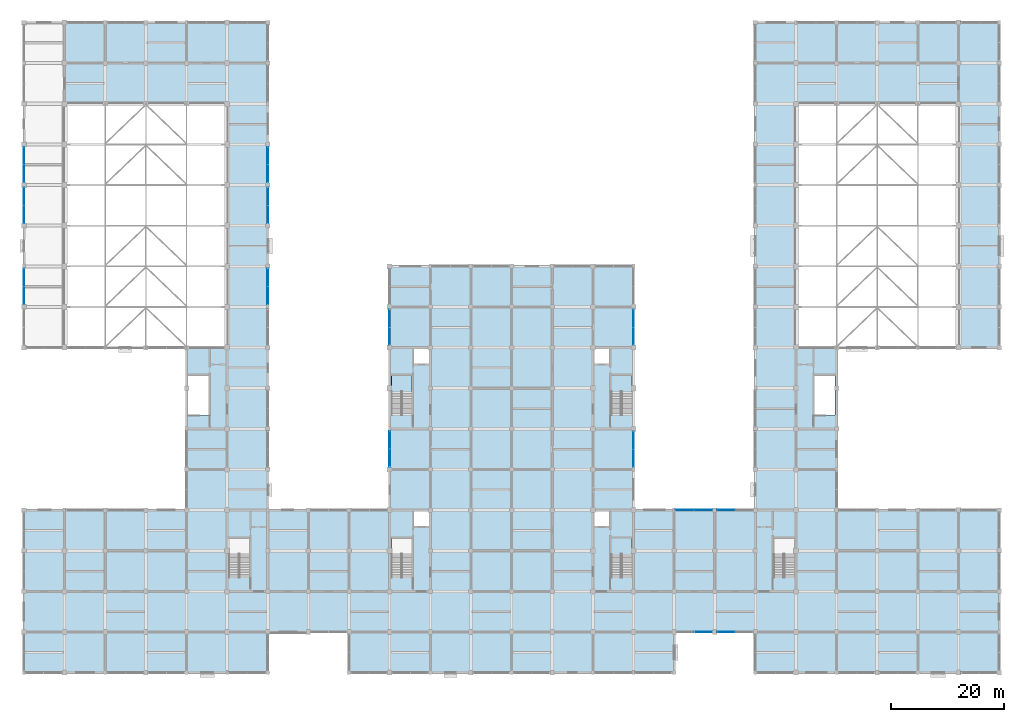
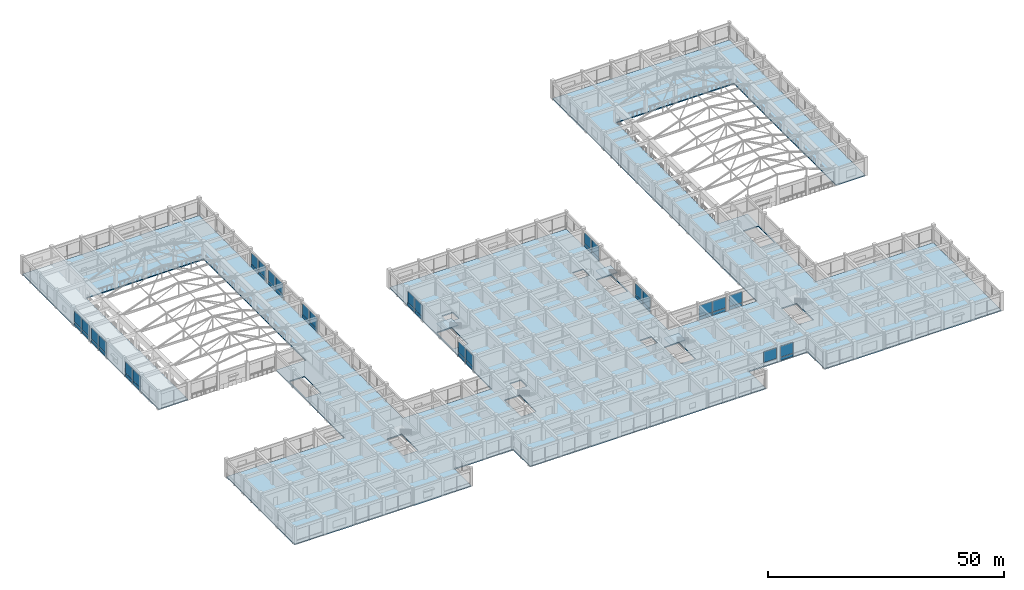
# One storey, part 49 of 75: 49 plates, 4 slabs, 17 elements without a shape of their own.
"""IFC4 building model written with IfcOpenShell, lengths in metres."""

from ifc_helpers import new_model, si_unit, direction, frame, origin, origin_2d, place, context, subcontext, project, spatial, polyline, rectangle, outline, extrude, material, layer, layer_set, type_object, element, aggregate, save


model = new_model("IFC4")

# Units and contexts
model_context = context("Model", 3, precision=1e-05, world=origin(), true_north=direction((0.0, 1.0)))
body_context = subcontext(model_context, "Body", "Model", "MODEL_VIEW")
ifc_project = project(units=[si_unit("LENGTHUNIT", "METRE"), si_unit("AREAUNIT", "SQUARE_METRE"), si_unit("VOLUMEUNIT", "CUBIC_METRE"), si_unit("PLANEANGLEUNIT", "RADIAN"), si_unit("MASSUNIT", "GRAM", prefix="KILO")], contexts=[model_context])

# Site, building, storey
site_placement = place(None, origin())
site = spatial("IfcSite", under=ifc_project, at=site_placement, CompositionType="ELEMENT")
building_placement = place(site_placement, origin())
building = spatial("IfcBuilding", under=site, at=building_placement, Name="Cendaluz Park School", CompositionType="ELEMENT")
storey_placement = place(building_placement, frame((0.0, 0.0, 4.800048828125)))
storey = spatial("IfcBuildingStorey", under=building, at=storey_placement, Name="L01", CompositionType="ELEMENT", Elevation=4.800048828125)

# Curtain wall, plates
ifc_material_1 = material(Name="Anodised Aluminium 6063-T6", Category="aluminium")
ifc_layer_1 = layer(ifc_material_1, 0.179931640625)
ifc_layer_set_1 = layer_set([ifc_layer_1], Name="Anodised Aluminium 6063-T6")
curtain_wall_type_1 = type_object("IfcCurtainWallType", Name="CW-128x77", PredefinedType="NOTDEFINED", material=ifc_layer_set_1)
curtain_wall_1_placement = place(storey_placement, origin())
curtain_wall_1 = element("IfcCurtainWall", 1, at=curtain_wall_1_placement, inside=storey, type_object=curtain_wall_type_1, Name="CW-L01-028", PredefinedType="NOTDEFINED")
ifc_material_2 = material(Name="Tempered Low-E Double Glazing", Category="glass")
ifc_layer_2 = layer(ifc_material_2, 0.028076171875)
ifc_layer_set_2 = layer_set([ifc_layer_2], Name="Tempered Low-E Double Glazing")
plate_type_1 = type_object("IfcPlateType", Name="CWP-G01", PredefinedType="CURTAIN_PANEL", material=ifc_layer_set_2)
plate_1_placement = place(storey_placement, frame((43.199951171875, 66.798828125, 0.93505859375), z_axis=(0.0, 0.0, 1.0), x_axis=(0.0, 1.0, 0.0)))
plate_1 = element("IfcPlate", 2, at=plate_1_placement, type_object=plate_type_1, Name="CP-L01-0359", PredefinedType="CURTAIN_PANEL", context=body_context, shape_type="SweptSolid", body=[
    extrude(rectangle(XDim=3.107421875, YDim=0.028076171875, at=origin_2d()), origin(), (0.0, 0.0, 1.0), 2.844970703125),
])
plate_2_placement = place(storey_placement, frame((43.199951171875, 69.976318359375, 0.93505859375), z_axis=(0.0, 0.0, 1.0), x_axis=(0.0, 1.0, 0.0)))
plate_2 = element("IfcPlate", 3, at=plate_2_placement, type_object=plate_type_1, Name="CP-L01-0364", PredefinedType="CURTAIN_PANEL", context=body_context, shape_type="SweptSolid", body=[
    extrude(rectangle(XDim=3.107421875, YDim=0.028076171875, at=origin_2d()), origin(), (0.0, 0.0, 1.0), 2.844970703125),
])

curtain_wall_2_placement = place(storey_placement, origin())
curtain_wall_2 = element("IfcCurtainWall", 4, at=curtain_wall_2_placement, inside=storey, type_object=curtain_wall_type_1, Name="CW-L01-029", PredefinedType="NOTDEFINED")
plate_3_placement = place(storey_placement, frame((43.199951171875, 81.217529296875, 0.93505859375), z_axis=(0.0, 0.0, 1.0), x_axis=(0.0, 1.0, 0.0)))
plate_3 = element("IfcPlate", 5, at=plate_3_placement, type_object=plate_type_1, Name="CP-L01-0372", PredefinedType="CURTAIN_PANEL", context=body_context, shape_type="SweptSolid", body=[
    extrude(rectangle(XDim=3.094970703125, YDim=0.028076171875, at=origin_2d()), origin(), (0.0, 0.0, 1.0), 2.844970703125),
])
plate_4_placement = place(storey_placement, frame((43.199951171875, 84.382568359375, 0.93505859375), z_axis=(0.0, 0.0, 1.0), x_axis=(0.0, 1.0, 0.0)))
plate_4 = element("IfcPlate", 6, at=plate_4_placement, type_object=plate_type_1, Name="CP-L01-0377", PredefinedType="CURTAIN_PANEL", context=body_context, shape_type="SweptSolid", body=[
    extrude(rectangle(XDim=3.094970703125, YDim=0.028076171875, at=origin_2d()), origin(), (0.0, 0.0, 1.0), 2.844970703125),
])

curtain_wall_3_placement = place(storey_placement, origin())
curtain_wall_3 = element("IfcCurtainWall", 7, at=curtain_wall_3_placement, inside=storey, type_object=curtain_wall_type_1, Name="CW-L01-030", PredefinedType="NOTDEFINED")
plate_5_placement = place(storey_placement, frame((43.199951171875, 88.41748046875, 0.93505859375), z_axis=(0.0, 0.0, 1.0), x_axis=(0.0, 1.0, 0.0)))
plate_5 = element("IfcPlate", 8, at=plate_5_placement, type_object=plate_type_1, Name="CP-L01-0385", PredefinedType="CURTAIN_PANEL", context=body_context, shape_type="SweptSolid", body=[
    extrude(rectangle(XDim=3.094970703125, YDim=0.028076171875, at=origin_2d()), origin(), (0.0, 0.0, 1.0), 2.844970703125),
])
plate_6_placement = place(storey_placement, frame((43.199951171875, 91.58251953125, 0.93505859375), z_axis=(0.0, 0.0, 1.0), x_axis=(0.0, 1.0, 0.0)))
plate_6 = element("IfcPlate", 9, at=plate_6_placement, type_object=plate_type_1, Name="CP-L01-0390", PredefinedType="CURTAIN_PANEL", context=body_context, shape_type="SweptSolid", body=[
    extrude(rectangle(XDim=3.094970703125, YDim=0.028076171875, at=origin_2d()), origin(), (0.0, 0.0, 1.0), 2.844970703125),
])

curtain_wall_4_placement = place(storey_placement, origin())
curtain_wall_4 = element("IfcCurtainWall", 10, at=curtain_wall_4_placement, inside=storey, type_object=curtain_wall_type_1, Name="CW-L01-049", PredefinedType="NOTDEFINED")
ifc_layer_3 = layer(ifc_material_2, 0.0380859375)
ifc_layer_set_3 = layer_set([ifc_layer_3], Name="Tempered Low-E Double Glazing")
plate_type_2 = type_object("IfcPlateType", Name="CWP-G02", PredefinedType="CURTAIN_PANEL", material=ifc_layer_set_3)
plate_7_placement = place(storey_placement, frame((108.0, 37.986328125, 0.93505859375), z_axis=(0.0, 0.0, 1.0), x_axis=(0.0, 1.0, 0.0)))
plate_7 = element("IfcPlate", 11, at=plate_7_placement, type_object=plate_type_2, Name="CP-L01-0632", PredefinedType="CURTAIN_PANEL", context=body_context, shape_type="SweptSolid", body=[
    extrude(rectangle(XDim=3.08251953125, YDim=0.0380859375, at=origin_2d()), origin(), (0.0, 0.0, 1.0), 2.844970703125),
])
plate_8_placement = place(storey_placement, frame((108.0, 41.138671875, 0.93505859375), z_axis=(0.0, 0.0, 1.0), x_axis=(0.0, 1.0, 0.0)))
plate_8 = element("IfcPlate", 12, at=plate_8_placement, type_object=plate_type_2, Name="CP-L01-0637", PredefinedType="CURTAIN_PANEL", context=body_context, shape_type="SweptSolid", body=[
    extrude(rectangle(XDim=3.08251953125, YDim=0.0380859375, at=origin_2d()), origin(), (0.0, 0.0, 1.0), 2.844970703125),
])

ifc_layer_4 = layer(ifc_material_1, 0.179931640625)
ifc_layer_set_4 = layer_set([ifc_layer_4], Name="Anodised Aluminium 6063-T6")
curtain_wall_type_2 = type_object("IfcCurtainWallType", Name="CW-126x77", PredefinedType="NOTDEFINED", material=ifc_layer_set_4)
curtain_wall_5_placement = place(storey_placement, origin())
curtain_wall_5 = element("IfcCurtainWall", 13, at=curtain_wall_5_placement, inside=storey, type_object=curtain_wall_type_2, Name="CW-L01-050", PredefinedType="NOTDEFINED")
plate_9_placement = place(storey_placement, frame((108.0, 59.642578125, 0.93505859375), z_axis=(0.0, 0.0, 1.0), x_axis=(0.0, 1.0, 0.0)))
plate_9 = element("IfcPlate", 14, at=plate_9_placement, type_object=plate_type_2, Name="CP-L01-0645", PredefinedType="CURTAIN_PANEL", context=body_context, shape_type="SweptSolid", body=[
    extrude(rectangle(XDim=3.044921875, YDim=0.0380859375, at=origin_2d()), origin(), (0.0, 0.0, 1.0), 2.844970703125),
])
plate_10_placement = place(storey_placement, frame((108.0, 62.757568359375, 0.93505859375), z_axis=(0.0, 0.0, 1.0), x_axis=(0.0, 1.0, 0.0)))
plate_10 = element("IfcPlate", 15, at=plate_10_placement, type_object=plate_type_2, Name="CP-L01-0650", PredefinedType="CURTAIN_PANEL", context=body_context, shape_type="SweptSolid", body=[
    extrude(rectangle(XDim=3.044921875, YDim=0.0380859375, at=origin_2d()), origin(), (0.0, 0.0, 1.0), 2.844970703125),
])

curtain_wall_6_placement = place(storey_placement, origin())
curtain_wall_6 = element("IfcCurtainWall", 16, at=curtain_wall_6_placement, inside=storey, type_object=curtain_wall_type_1, Name="CW-L01-007", PredefinedType="NOTDEFINED")
ifc_layer_5 = layer(ifc_material_2, 0.048095703125)
ifc_layer_set_5 = layer_set([ifc_layer_5], Name="Tempered Low-E Double Glazing")
plate_type_3 = type_object("IfcPlateType", Name="CWP-G03", PredefinedType="CURTAIN_PANEL", material=ifc_layer_set_5)
plate_11_placement = place(storey_placement, frame((0.0, 66.82373046875, 0.93505859375), z_axis=(0.0, 0.0, 1.0), x_axis=(0.0, 1.0, 0.0)))
plate_11 = element("IfcPlate", 17, at=plate_11_placement, type_object=plate_type_3, Name="CP-L01-0086", PredefinedType="CURTAIN_PANEL", context=body_context, shape_type="SweptSolid", body=[
    extrude(rectangle(XDim=3.107421875, YDim=0.048095703125, at=origin_2d()), origin(), (0.0, 0.0, 1.0), 2.844970703125),
])
plate_12_placement = place(storey_placement, frame((0.0, 70.001220703125, 0.93505859375), z_axis=(0.0, 0.0, 1.0), x_axis=(0.0, 1.0, 0.0)))
plate_12 = element("IfcPlate", 18, at=plate_12_placement, type_object=plate_type_3, Name="CP-L01-0091", PredefinedType="CURTAIN_PANEL", context=body_context, shape_type="SweptSolid", body=[
    extrude(rectangle(XDim=3.107421875, YDim=0.048095703125, at=origin_2d()), origin(), (0.0, 0.0, 1.0), 2.844970703125),
])

curtain_wall_7_placement = place(storey_placement, origin())
curtain_wall_7 = element("IfcCurtainWall", 19, at=curtain_wall_7_placement, inside=storey, type_object=curtain_wall_type_1, Name="CW-L01-008", PredefinedType="NOTDEFINED")
plate_13_placement = place(storey_placement, frame((0.0, 81.217529296875, 0.93505859375), z_axis=(0.0, 0.0, 1.0), x_axis=(0.0, 1.0, 0.0)))
plate_13 = element("IfcPlate", 20, at=plate_13_placement, type_object=plate_type_3, Name="CP-L01-0099", PredefinedType="CURTAIN_PANEL", context=body_context, shape_type="SweptSolid", body=[
    extrude(rectangle(XDim=3.094970703125, YDim=0.048095703125, at=origin_2d()), origin(), (0.0, 0.0, 1.0), 2.844970703125),
])
plate_14_placement = place(storey_placement, frame((0.0, 84.382568359375, 0.93505859375), z_axis=(0.0, 0.0, 1.0), x_axis=(0.0, 1.0, 0.0)))
plate_14 = element("IfcPlate", 21, at=plate_14_placement, type_object=plate_type_3, Name="CP-L01-0104", PredefinedType="CURTAIN_PANEL", context=body_context, shape_type="SweptSolid", body=[
    extrude(rectangle(XDim=3.094970703125, YDim=0.048095703125, at=origin_2d()), origin(), (0.0, 0.0, 1.0), 2.844970703125),
])

curtain_wall_8_placement = place(storey_placement, origin())
curtain_wall_8 = element("IfcCurtainWall", 22, at=curtain_wall_8_placement, inside=storey, type_object=curtain_wall_type_1, Name="CW-L01-009", PredefinedType="NOTDEFINED")
plate_15_placement = place(storey_placement, frame((0.0, 88.41748046875, 0.93505859375), z_axis=(0.0, 0.0, 1.0), x_axis=(0.0, 1.0, 0.0)))
plate_15 = element("IfcPlate", 23, at=plate_15_placement, type_object=plate_type_3, Name="CP-L01-0112", PredefinedType="CURTAIN_PANEL", context=body_context, shape_type="SweptSolid", body=[
    extrude(rectangle(XDim=3.094970703125, YDim=0.048095703125, at=origin_2d()), origin(), (0.0, 0.0, 1.0), 2.844970703125),
])
plate_16_placement = place(storey_placement, frame((0.0, 91.58251953125, 0.93505859375), z_axis=(0.0, 0.0, 1.0), x_axis=(0.0, 1.0, 0.0)))
plate_16 = element("IfcPlate", 24, at=plate_16_placement, type_object=plate_type_3, Name="CP-L01-0117", PredefinedType="CURTAIN_PANEL", context=body_context, shape_type="SweptSolid", body=[
    extrude(rectangle(XDim=3.094970703125, YDim=0.048095703125, at=origin_2d()), origin(), (0.0, 0.0, 1.0), 2.844970703125),
])

# Curtain wall, plate
curtain_wall_9_placement = place(storey_placement, origin())
curtain_wall_9 = element("IfcCurtainWall", 25, at=curtain_wall_9_placement, inside=storey, type_object=curtain_wall_type_1, Name="CW-L01-054", PredefinedType="NOTDEFINED")
plate_17_placement = place(storey_placement, frame((120.382568359375, 7.199951171875, 0.93505859375), z_axis=(0.0, 0.0, 1.0), x_axis=(1.0, 0.0, 0.0)))
plate_17 = element("IfcPlate", 26, at=plate_17_placement, type_object=plate_type_3, Name="CP-L01-0702", PredefinedType="CURTAIN_PANEL", context=body_context, shape_type="SweptSolid", body=[
    extrude(rectangle(XDim=3.094970703125, YDim=0.048095703125, at=origin_2d()), origin(), (0.0, 0.0, 1.0), 2.844970703125),
])
aggregate(curtain_wall_9, [plate_17])

# Curtain wall, plates
ifc_layer_6 = layer(ifc_material_1, 0.179931640625)
ifc_layer_set_6 = layer_set([ifc_layer_6], Name="Anodised Aluminium 6063-T6")
curtain_wall_type_3 = type_object("IfcCurtainWallType", Name="CW-131x77", PredefinedType="NOTDEFINED", material=ifc_layer_set_6)
curtain_wall_10_placement = place(storey_placement, origin())
curtain_wall_10 = element("IfcCurtainWall", 27, at=curtain_wall_10_placement, inside=storey, type_object=curtain_wall_type_3, Name="CW-L01-055", PredefinedType="NOTDEFINED")
plate_18_placement = place(storey_placement, frame((117.10498046875, 28.800048828125, 0.93505859375), z_axis=(0.0, 0.0, 1.0), x_axis=(1.0, 0.0, 0.0)))
plate_18 = element("IfcPlate", 28, at=plate_18_placement, type_object=plate_type_3, Name="CP-L01-0710", PredefinedType="CURTAIN_PANEL", context=body_context, shape_type="SweptSolid", body=[
    extrude(rectangle(XDim=3.169921875, YDim=0.048095703125, at=origin_2d()), origin(), (0.0, 0.0, 1.0), 2.844970703125),
])
plate_19_placement = place(storey_placement, frame((120.344970703125, 28.800048828125, 0.93505859375), z_axis=(0.0, 0.0, 1.0), x_axis=(1.0, 0.0, 0.0)))
plate_19 = element("IfcPlate", 29, at=plate_19_placement, type_object=plate_type_3, Name="CP-L01-0715", PredefinedType="CURTAIN_PANEL", context=body_context, shape_type="SweptSolid", body=[
    extrude(rectangle(XDim=3.169921875, YDim=0.048095703125, at=origin_2d()), origin(), (0.0, 0.0, 1.0), 2.844970703125),
])

curtain_wall_11_placement = place(storey_placement, origin())
curtain_wall_11 = element("IfcCurtainWall", 30, at=curtain_wall_11_placement, inside=storey, type_object=curtain_wall_type_1, Name="CW-L01-040", PredefinedType="NOTDEFINED")
ifc_layer_7 = layer(ifc_material_2, 0.05810546875)
ifc_layer_set_7 = layer_set([ifc_layer_7], Name="Tempered Low-E Double Glazing")
plate_type_4 = type_object("IfcPlateType", Name="CWP-G04", PredefinedType="CURTAIN_PANEL", material=ifc_layer_set_7)
plate_20_placement = place(storey_placement, frame((64.800048828125, 38.061279296875, 0.93505859375), z_axis=(0.0, 0.0, 1.0), x_axis=(0.0, 1.0, 0.0)))
plate_20 = element("IfcPlate", 31, at=plate_20_placement, type_object=plate_type_4, Name="CP-L01-0515", PredefinedType="CURTAIN_PANEL", context=body_context, shape_type="SweptSolid", body=[
    extrude(rectangle(XDim=3.08251953125, YDim=0.05810546875, at=origin_2d()), origin(), (0.0, 0.0, 1.0), 2.844970703125),
])
plate_21_placement = place(storey_placement, frame((64.800048828125, 41.2138671875, 0.93505859375), z_axis=(0.0, 0.0, 1.0), x_axis=(0.0, 1.0, 0.0)))
plate_21 = element("IfcPlate", 32, at=plate_21_placement, type_object=plate_type_4, Name="CP-L01-0520", PredefinedType="CURTAIN_PANEL", context=body_context, shape_type="SweptSolid", body=[
    extrude(rectangle(XDim=3.08251953125, YDim=0.05810546875, at=origin_2d()), origin(), (0.0, 0.0, 1.0), 2.844970703125),
])

curtain_wall_12_placement = place(storey_placement, origin())
curtain_wall_12 = element("IfcCurtainWall", 33, at=curtain_wall_12_placement, inside=storey, type_object=curtain_wall_type_2, Name="CW-L01-041", PredefinedType="NOTDEFINED")
plate_22_placement = place(storey_placement, frame((64.800048828125, 59.642578125, 0.93505859375), z_axis=(0.0, 0.0, 1.0), x_axis=(0.0, 1.0, 0.0)))
plate_22 = element("IfcPlate", 34, at=plate_22_placement, type_object=plate_type_4, Name="CP-L01-0528", PredefinedType="CURTAIN_PANEL", context=body_context, shape_type="SweptSolid", body=[
    extrude(rectangle(XDim=3.044921875, YDim=0.05810546875, at=origin_2d()), origin(), (0.0, 0.0, 1.0), 2.844970703125),
])
plate_23_placement = place(storey_placement, frame((64.800048828125, 62.757568359375, 0.93505859375), z_axis=(0.0, 0.0, 1.0), x_axis=(0.0, 1.0, 0.0)))
plate_23 = element("IfcPlate", 35, at=plate_23_placement, type_object=plate_type_4, Name="CP-L01-0533", PredefinedType="CURTAIN_PANEL", context=body_context, shape_type="SweptSolid", body=[
    extrude(rectangle(XDim=3.044921875, YDim=0.05810546875, at=origin_2d()), origin(), (0.0, 0.0, 1.0), 2.844970703125),
])

# Curtain wall, plate
curtain_wall_13_placement = place(storey_placement, origin())
curtain_wall_13 = element("IfcCurtainWall", 36, at=curtain_wall_13_placement, inside=storey, type_object=curtain_wall_type_1, Name="CW-L01-056", PredefinedType="NOTDEFINED")
plate_24_placement = place(storey_placement, frame((124.41748046875, 7.199951171875, 0.93505859375), z_axis=(0.0, 0.0, 1.0), x_axis=(1.0, 0.0, 0.0)))
plate_24 = element("IfcPlate", 37, at=plate_24_placement, type_object=plate_type_4, Name="CP-L01-0723", PredefinedType="CURTAIN_PANEL", context=body_context, shape_type="SweptSolid", body=[
    extrude(rectangle(XDim=3.094970703125, YDim=0.05810546875, at=origin_2d()), origin(), (0.0, 0.0, 1.0), 2.844970703125),
])

curtain_wall_14_placement = place(storey_placement, origin())
curtain_wall_14 = element("IfcCurtainWall", 38, at=curtain_wall_14_placement, inside=storey, type_object=curtain_wall_type_1, Name="CW-L01-057", PredefinedType="NOTDEFINED")
plate_25_placement = place(storey_placement, frame((124.41748046875, 28.800048828125, 0.93505859375), z_axis=(0.0, 0.0, 1.0), x_axis=(1.0, 0.0, 0.0)))
plate_25 = element("IfcPlate", 39, at=plate_25_placement, type_object=plate_type_4, Name="CP-L01-0736", PredefinedType="CURTAIN_PANEL", context=body_context, shape_type="SweptSolid", body=[
    extrude(rectangle(XDim=3.094970703125, YDim=0.05810546875, at=origin_2d()), origin(), (0.0, 0.0, 1.0), 2.844970703125),
])

# Plate
ifc_layer_8 = layer(ifc_material_1, 0.094970703125)
ifc_layer_set_8 = layer_set([ifc_layer_8], Name="Anodised Aluminium 6063-T6")
plate_type_5 = type_object("IfcPlateType", Name="CWP-S02", PredefinedType="CURTAIN_PANEL", material=ifc_layer_set_8)
plate_26_placement = place(storey_placement, frame((0.0, 81.217529296875, 0.070068359375), z_axis=(0.0, 0.0, 1.0), x_axis=(0.0, 1.0, 0.0)))
plate_26 = element("IfcPlate", 40, at=plate_26_placement, type_object=plate_type_5, Name="CP-L01-0098", PredefinedType="CURTAIN_PANEL", context=body_context, shape_type="SweptSolid", body=[
    extrude(rectangle(XDim=3.094970703125, YDim=0.094970703125, at=origin_2d()), origin(), (0.0, 0.0, 1.0), 0.794921875),
])

plate_27_placement = place(storey_placement, frame((0.0, 84.382568359375, 0.070068359375), z_axis=(0.0, 0.0, 1.0), x_axis=(0.0, 1.0, 0.0)))
plate_27 = element("IfcPlate", 41, at=plate_27_placement, type_object=plate_type_5, Name="CP-L01-0103", PredefinedType="CURTAIN_PANEL", context=body_context, shape_type="SweptSolid", body=[
    extrude(rectangle(XDim=3.094970703125, YDim=0.094970703125, at=origin_2d()), origin(), (0.0, 0.0, 1.0), 0.794921875),
])

aggregate(curtain_wall_7, [plate_26, plate_13, plate_27, plate_14])

plate_28_placement = place(storey_placement, frame((43.199951171875, 81.217529296875, 0.070068359375), z_axis=(0.0, 0.0, 1.0), x_axis=(0.0, 1.0, 0.0)))
plate_28 = element("IfcPlate", 42, at=plate_28_placement, type_object=plate_type_5, Name="CP-L01-0371", PredefinedType="CURTAIN_PANEL", context=body_context, shape_type="SweptSolid", body=[
    extrude(rectangle(XDim=3.094970703125, YDim=0.094970703125, at=origin_2d()), origin(), (0.0, 0.0, 1.0), 0.794921875),
])

plate_29_placement = place(storey_placement, frame((43.199951171875, 84.382568359375, 0.070068359375), z_axis=(0.0, 0.0, 1.0), x_axis=(0.0, 1.0, 0.0)))
plate_29 = element("IfcPlate", 43, at=plate_29_placement, type_object=plate_type_5, Name="CP-L01-0376", PredefinedType="CURTAIN_PANEL", context=body_context, shape_type="SweptSolid", body=[
    extrude(rectangle(XDim=3.094970703125, YDim=0.094970703125, at=origin_2d()), origin(), (0.0, 0.0, 1.0), 0.794921875),
])

aggregate(curtain_wall_2, [plate_28, plate_3, plate_29, plate_4])

ifc_layer_9 = layer(ifc_material_1, 0.110107421875)
ifc_layer_set_9 = layer_set([ifc_layer_9], Name="Anodised Aluminium 6063-T6")
plate_type_6 = type_object("IfcPlateType", Name="CWP-S03", PredefinedType="CURTAIN_PANEL", material=ifc_layer_set_9)
plate_30_placement = place(storey_placement, frame((0.0, 88.41748046875, 0.070068359375), z_axis=(0.0, 0.0, 1.0), x_axis=(0.0, 1.0, 0.0)))
plate_30 = element("IfcPlate", 44, at=plate_30_placement, type_object=plate_type_6, Name="CP-L01-0111", PredefinedType="CURTAIN_PANEL", context=body_context, shape_type="SweptSolid", body=[
    extrude(rectangle(XDim=3.094970703125, YDim=0.110107421875, at=origin_2d()), origin(), (0.0, 0.0, 1.0), 0.794921875),
])

plate_31_placement = place(storey_placement, frame((0.0, 91.58251953125, 0.070068359375), z_axis=(0.0, 0.0, 1.0), x_axis=(0.0, 1.0, 0.0)))
plate_31 = element("IfcPlate", 45, at=plate_31_placement, type_object=plate_type_6, Name="CP-L01-0116", PredefinedType="CURTAIN_PANEL", context=body_context, shape_type="SweptSolid", body=[
    extrude(rectangle(XDim=3.094970703125, YDim=0.110107421875, at=origin_2d()), origin(), (0.0, 0.0, 1.0), 0.794921875),
])

aggregate(curtain_wall_8, [plate_30, plate_15, plate_31, plate_16])

plate_32_placement = place(storey_placement, frame((43.199951171875, 88.41748046875, 0.070068359375), z_axis=(0.0, 0.0, 1.0), x_axis=(0.0, 1.0, 0.0)))
plate_32 = element("IfcPlate", 46, at=plate_32_placement, type_object=plate_type_6, Name="CP-L01-0384", PredefinedType="CURTAIN_PANEL", context=body_context, shape_type="SweptSolid", body=[
    extrude(rectangle(XDim=3.094970703125, YDim=0.110107421875, at=origin_2d()), origin(), (0.0, 0.0, 1.0), 0.794921875),
])

plate_33_placement = place(storey_placement, frame((43.199951171875, 91.58251953125, 0.070068359375), z_axis=(0.0, 0.0, 1.0), x_axis=(0.0, 1.0, 0.0)))
plate_33 = element("IfcPlate", 47, at=plate_33_placement, type_object=plate_type_6, Name="CP-L01-0389", PredefinedType="CURTAIN_PANEL", context=body_context, shape_type="SweptSolid", body=[
    extrude(rectangle(XDim=3.094970703125, YDim=0.110107421875, at=origin_2d()), origin(), (0.0, 0.0, 1.0), 0.794921875),
])

aggregate(curtain_wall_3, [plate_32, plate_5, plate_33, plate_6])

plate_34_placement = place(storey_placement, frame((64.800048828125, 59.642578125, 0.070068359375), z_axis=(0.0, 0.0, 1.0), x_axis=(0.0, 1.0, 0.0)))
plate_34 = element("IfcPlate", 48, at=plate_34_placement, type_object=plate_type_6, Name="CP-L01-0527", PredefinedType="CURTAIN_PANEL", context=body_context, shape_type="SweptSolid", body=[
    extrude(rectangle(XDim=3.044921875, YDim=0.110107421875, at=origin_2d()), origin(), (0.0, 0.0, 1.0), 0.794921875),
])

plate_35_placement = place(storey_placement, frame((64.800048828125, 62.757568359375, 0.070068359375), z_axis=(0.0, 0.0, 1.0), x_axis=(0.0, 1.0, 0.0)))
plate_35 = element("IfcPlate", 49, at=plate_35_placement, type_object=plate_type_6, Name="CP-L01-0532", PredefinedType="CURTAIN_PANEL", context=body_context, shape_type="SweptSolid", body=[
    extrude(rectangle(XDim=3.044921875, YDim=0.110107421875, at=origin_2d()), origin(), (0.0, 0.0, 1.0), 0.794921875),
])

aggregate(curtain_wall_12, [plate_34, plate_22, plate_35, plate_23])

plate_36_placement = place(storey_placement, frame((108.0, 59.642578125, 0.070068359375), z_axis=(0.0, 0.0, 1.0), x_axis=(0.0, 1.0, 0.0)))
plate_36 = element("IfcPlate", 50, at=plate_36_placement, type_object=plate_type_6, Name="CP-L01-0644", PredefinedType="CURTAIN_PANEL", context=body_context, shape_type="SweptSolid", body=[
    extrude(rectangle(XDim=3.044921875, YDim=0.110107421875, at=origin_2d()), origin(), (0.0, 0.0, 1.0), 0.794921875),
])

plate_37_placement = place(storey_placement, frame((108.0, 62.757568359375, 0.070068359375), z_axis=(0.0, 0.0, 1.0), x_axis=(0.0, 1.0, 0.0)))
plate_37 = element("IfcPlate", 51, at=plate_37_placement, type_object=plate_type_6, Name="CP-L01-0649", PredefinedType="CURTAIN_PANEL", context=body_context, shape_type="SweptSolid", body=[
    extrude(rectangle(XDim=3.044921875, YDim=0.110107421875, at=origin_2d()), origin(), (0.0, 0.0, 1.0), 0.794921875),
])

aggregate(curtain_wall_5, [plate_36, plate_9, plate_37, plate_10])

plate_38_placement = place(storey_placement, frame((117.10498046875, 28.800048828125, 0.070068359375), z_axis=(0.0, 0.0, 1.0), x_axis=(1.0, 0.0, 0.0)))
plate_38 = element("IfcPlate", 52, at=plate_38_placement, type_object=plate_type_6, Name="CP-L01-0709", PredefinedType="CURTAIN_PANEL", context=body_context, shape_type="SweptSolid", body=[
    extrude(rectangle(XDim=3.169921875, YDim=0.110107421875, at=origin_2d()), origin(), (0.0, 0.0, 1.0), 0.794921875),
])

plate_39_placement = place(storey_placement, frame((120.344970703125, 28.800048828125, 0.070068359375), z_axis=(0.0, 0.0, 1.0), x_axis=(1.0, 0.0, 0.0)))
plate_39 = element("IfcPlate", 53, at=plate_39_placement, type_object=plate_type_6, Name="CP-L01-0714", PredefinedType="CURTAIN_PANEL", context=body_context, shape_type="SweptSolid", body=[
    extrude(rectangle(XDim=3.169921875, YDim=0.110107421875, at=origin_2d()), origin(), (0.0, 0.0, 1.0), 0.794921875),
])

aggregate(curtain_wall_10, [plate_38, plate_18, plate_39, plate_19])

plate_40_placement = place(storey_placement, frame((124.41748046875, 28.800048828125, 0.070068359375), z_axis=(0.0, 0.0, 1.0), x_axis=(1.0, 0.0, 0.0)))
plate_40 = element("IfcPlate", 54, at=plate_40_placement, type_object=plate_type_6, Name="CP-L01-0735", PredefinedType="CURTAIN_PANEL", context=body_context, shape_type="SweptSolid", body=[
    extrude(rectangle(XDim=3.094970703125, YDim=0.110107421875, at=origin_2d()), origin(), (0.0, 0.0, 1.0), 0.794921875),
])

aggregate(curtain_wall_14, [plate_40, plate_25])

ifc_layer_10 = layer(ifc_material_1, 0.125)
ifc_layer_set_10 = layer_set([ifc_layer_10], Name="Anodised Aluminium 6063-T6")
plate_type_7 = type_object("IfcPlateType", Name="CWP-S04", PredefinedType="CURTAIN_PANEL", material=ifc_layer_set_10)
plate_41_placement = place(storey_placement, frame((0.0, 66.82373046875, 0.070068359375), z_axis=(0.0, 0.0, 1.0), x_axis=(0.0, 1.0, 0.0)))
plate_41 = element("IfcPlate", 55, at=plate_41_placement, type_object=plate_type_7, Name="CP-L01-0085", PredefinedType="CURTAIN_PANEL", context=body_context, shape_type="SweptSolid", body=[
    extrude(rectangle(XDim=3.107421875, YDim=0.125, at=origin_2d()), origin(), (0.0, 0.0, 1.0), 0.794921875),
])

plate_42_placement = place(storey_placement, frame((0.0, 70.001220703125, 0.070068359375), z_axis=(0.0, 0.0, 1.0), x_axis=(0.0, 1.0, 0.0)))
plate_42 = element("IfcPlate", 56, at=plate_42_placement, type_object=plate_type_7, Name="CP-L01-0090", PredefinedType="CURTAIN_PANEL", context=body_context, shape_type="SweptSolid", body=[
    extrude(rectangle(XDim=3.107421875, YDim=0.125, at=origin_2d()), origin(), (0.0, 0.0, 1.0), 0.794921875),
])

aggregate(curtain_wall_6, [plate_41, plate_11, plate_42, plate_12])

plate_43_placement = place(storey_placement, frame((43.199951171875, 66.798828125, 0.070068359375), z_axis=(0.0, 0.0, 1.0), x_axis=(0.0, 1.0, 0.0)))
plate_43 = element("IfcPlate", 57, at=plate_43_placement, type_object=plate_type_7, Name="CP-L01-0358", PredefinedType="CURTAIN_PANEL", context=body_context, shape_type="SweptSolid", body=[
    extrude(rectangle(XDim=3.107421875, YDim=0.125, at=origin_2d()), origin(), (0.0, 0.0, 1.0), 0.794921875),
])

plate_44_placement = place(storey_placement, frame((43.199951171875, 69.976318359375, 0.070068359375), z_axis=(0.0, 0.0, 1.0), x_axis=(0.0, 1.0, 0.0)))
plate_44 = element("IfcPlate", 58, at=plate_44_placement, type_object=plate_type_7, Name="CP-L01-0363", PredefinedType="CURTAIN_PANEL", context=body_context, shape_type="SweptSolid", body=[
    extrude(rectangle(XDim=3.107421875, YDim=0.125, at=origin_2d()), origin(), (0.0, 0.0, 1.0), 0.794921875),
])

aggregate(curtain_wall_1, [plate_43, plate_1, plate_44, plate_2])

plate_45_placement = place(storey_placement, frame((64.800048828125, 38.061279296875, 0.070068359375), z_axis=(0.0, 0.0, 1.0), x_axis=(0.0, 1.0, 0.0)))
plate_45 = element("IfcPlate", 59, at=plate_45_placement, type_object=plate_type_7, Name="CP-L01-0514", PredefinedType="CURTAIN_PANEL", context=body_context, shape_type="SweptSolid", body=[
    extrude(rectangle(XDim=3.08251953125, YDim=0.125, at=origin_2d()), origin(), (0.0, 0.0, 1.0), 0.794921875),
])

plate_46_placement = place(storey_placement, frame((64.800048828125, 41.2138671875, 0.070068359375), z_axis=(0.0, 0.0, 1.0), x_axis=(0.0, 1.0, 0.0)))
plate_46 = element("IfcPlate", 60, at=plate_46_placement, type_object=plate_type_7, Name="CP-L01-0519", PredefinedType="CURTAIN_PANEL", context=body_context, shape_type="SweptSolid", body=[
    extrude(rectangle(XDim=3.08251953125, YDim=0.125, at=origin_2d()), origin(), (0.0, 0.0, 1.0), 0.794921875),
])

aggregate(curtain_wall_11, [plate_45, plate_20, plate_46, plate_21])

plate_47_placement = place(storey_placement, frame((108.0, 37.986328125, 0.070068359375), z_axis=(0.0, 0.0, 1.0), x_axis=(0.0, 1.0, 0.0)))
plate_47 = element("IfcPlate", 61, at=plate_47_placement, type_object=plate_type_7, Name="CP-L01-0631", PredefinedType="CURTAIN_PANEL", context=body_context, shape_type="SweptSolid", body=[
    extrude(rectangle(XDim=3.08251953125, YDim=0.125, at=origin_2d()), origin(), (0.0, 0.0, 1.0), 0.794921875),
])

plate_48_placement = place(storey_placement, frame((108.0, 41.138671875, 0.070068359375), z_axis=(0.0, 0.0, 1.0), x_axis=(0.0, 1.0, 0.0)))
plate_48 = element("IfcPlate", 62, at=plate_48_placement, type_object=plate_type_7, Name="CP-L01-0636", PredefinedType="CURTAIN_PANEL", context=body_context, shape_type="SweptSolid", body=[
    extrude(rectangle(XDim=3.08251953125, YDim=0.125, at=origin_2d()), origin(), (0.0, 0.0, 1.0), 0.794921875),
])

aggregate(curtain_wall_4, [plate_47, plate_7, plate_48, plate_8])

plate_49_placement = place(storey_placement, frame((124.41748046875, 7.199951171875, 0.070068359375), z_axis=(0.0, 0.0, 1.0), x_axis=(1.0, 0.0, 0.0)))
plate_49 = element("IfcPlate", 63, at=plate_49_placement, type_object=plate_type_7, Name="CP-L01-0722", PredefinedType="CURTAIN_PANEL", context=body_context, shape_type="SweptSolid", body=[
    extrude(rectangle(XDim=3.094970703125, YDim=0.125, at=origin_2d()), origin(), (0.0, 0.0, 1.0), 0.794921875),
])

aggregate(curtain_wall_13, [plate_49, plate_24])

# Slab
ifc_material_3 = material(Name="Concrete C40/50", Category="concrete")
ifc_layer_11 = layer(ifc_material_3, 0.280029296875)
ifc_layer_set_11 = layer_set([ifc_layer_11], Name="Concrete C40/50")
slab_type_1 = type_object("IfcSlabType", Name="SL-FL-280", PredefinedType="FLOOR", material=ifc_layer_set_11)
slab_1_placement = place(storey_placement, frame((0.0, 0.0, -0.280029296875)))
element("IfcSlab", 64, at=slab_1_placement, inside=storey, type_object=slab_type_1, Name="SL-L01-01", PredefinedType="FLOOR", context=body_context, shape_type="SweptSolid", body=[
    extrude(outline(polyline([(36.0, 57.60009765625), (36.0, 100.800048828125), (7.199951171875, 100.800048828125), (7.199951171875, 57.60009765625), (0.0, 57.60009765625), (0.0, 115.199951171875), (43.199951171875, 115.199951171875), (43.199951171875, 28.800048828125), (64.800048828125, 28.800048828125), (64.800048828125, 72.0), (108.0, 72.0), (108.0, 28.800048828125), (129.60009765625, 28.800048828125), (129.60009765625, 115.199951171875), (172.800048828125, 115.199951171875), (172.800048828125, 57.60009765625), (165.60009765625, 57.60009765625), (165.60009765625, 100.800048828125), (136.800048828125, 100.800048828125), (136.800048828125, 57.60009765625), (144.0, 57.60009765625), (144.0, 28.800048828125), (172.800048828125, 28.800048828125), (172.800048828125, 0.0), (129.60009765625, 0.0), (129.60009765625, 7.199951171875), (115.199951171875, 7.199951171875), (115.199951171875, 0.0), (57.60009765625, 0.0), (57.60009765625, 7.199951171875), (43.199951171875, 7.199951171875), (43.199951171875, 0.0), (0.0, 0.0), (0.0, 28.800048828125), (28.800048828125, 28.800048828125), (28.800048828125, 57.60009765625), (36.0, 57.60009765625)]), holes=[polyline([(68.77001953125, 16.820068359375), (68.77001953125, 23.840087890625), (65.080078125, 23.840087890625), (65.080078125, 16.820068359375), (68.77001953125, 16.820068359375)]), polyline([(69.10009765625, 25.93994140625), (71.800048828125, 25.93994140625), (71.800048828125, 28.60009765625), (69.10009765625, 28.60009765625), (69.10009765625, 25.93994140625)]), polyline([(104.030029296875, 23.840087890625), (104.030029296875, 16.820068359375), (107.719970703125, 16.820068359375), (107.719970703125, 23.840087890625), (104.030029296875, 23.840087890625)]), polyline([(103.699951171875, 28.60009765625), (101.0, 28.60009765625), (101.0, 25.93994140625), (103.699951171875, 25.93994140625), (103.699951171875, 28.60009765625)]), polyline([(68.77001953125, 45.6201171875), (68.77001953125, 52.639892578125), (65.080078125, 52.639892578125), (65.080078125, 45.6201171875), (68.77001953125, 45.6201171875)]), polyline([(69.10009765625, 54.739990234375), (71.800048828125, 54.739990234375), (71.800048828125, 57.39990234375), (69.10009765625, 57.39990234375), (69.10009765625, 54.739990234375)]), polyline([(104.030029296875, 52.639892578125), (104.030029296875, 45.6201171875), (107.719970703125, 45.6201171875), (107.719970703125, 52.639892578125), (104.030029296875, 52.639892578125)]), polyline([(103.699951171875, 57.39990234375), (101.0, 57.39990234375), (101.0, 54.739990234375), (103.699951171875, 54.739990234375), (103.699951171875, 57.39990234375)]), polyline([(39.969970703125, 16.820068359375), (39.969970703125, 23.840087890625), (36.280029296875, 23.840087890625), (36.280029296875, 16.820068359375), (39.969970703125, 16.820068359375)]), polyline([(132.830078125, 16.820068359375), (136.52001953125, 16.820068359375), (136.52001953125, 23.840087890625), (132.830078125, 23.840087890625), (132.830078125, 16.820068359375)]), polyline([(29.080078125, 52.639892578125), (29.080078125, 45.6201171875), (32.77001953125, 45.6201171875), (32.77001953125, 52.639892578125), (29.080078125, 52.639892578125)]), polyline([(143.719970703125, 52.639892578125), (140.030029296875, 52.639892578125), (140.030029296875, 45.6201171875), (143.719970703125, 45.6201171875), (143.719970703125, 52.639892578125)])]), origin(), (0.0, 0.0, 1.0), 0.280029296875),
])

# Stair, slab
stair_type = type_object("IfcStairType", Name="ST-480-180", PredefinedType="HALF_TURN_STAIR", material=ifc_material_3)
stair_1_placement = place(storey_placement, origin())
stair_1 = element("IfcStair", 65, at=stair_1_placement, inside=storey, type_object=stair_type, Name="ST-L01-C2", PredefinedType="HALF_TURN_STAIR")
ifc_layer_12 = layer(ifc_material_3, 0.199951171875)
ifc_layer_set_12 = layer_set([ifc_layer_12], Name="Concrete C40/50")
slab_type_2 = type_object("IfcSlabType", Name="SL-LD-200", PredefinedType="LANDING", material=ifc_layer_set_12)
slab_2_placement = place(storey_placement, frame((0.0, 0.0, 2.199951171875)))
slab_2 = element("IfcSlab", 66, at=slab_2_placement, type_object=slab_type_2, Name="SL-LD-L01-C2", PredefinedType="LANDING", context=body_context, shape_type="SweptSolid", body=[
    extrude(outline(polyline([(104.030029296875, 20.9599609375), (107.7099609375, 20.9599609375), (107.7099609375, 23.860107421875), (104.030029296875, 23.860107421875), (104.030029296875, 20.9599609375)])), origin(), (0.0, 0.0, 1.0), 0.199951171875),
])
aggregate(stair_1, [slab_2])

stair_2_placement = place(storey_placement, origin())
stair_2 = element("IfcStair", 67, at=stair_2_placement, inside=storey, type_object=stair_type, Name="ST-L01-C3", PredefinedType="HALF_TURN_STAIR")
slab_3_placement = place(storey_placement, frame((0.0, 0.0, 2.199951171875)))
slab_3 = element("IfcSlab", 68, at=slab_3_placement, type_object=slab_type_2, Name="SL-LD-L01-C3", PredefinedType="LANDING", context=body_context, shape_type="SweptSolid", body=[
    extrude(outline(polyline([(65.090087890625, 49.760009765625), (68.77001953125, 49.760009765625), (68.77001953125, 52.659912109375), (65.090087890625, 52.659912109375), (65.090087890625, 49.760009765625)])), origin(), (0.0, 0.0, 1.0), 0.199951171875),
])
aggregate(stair_2, [slab_3])

stair_3_placement = place(storey_placement, origin())
stair_3 = element("IfcStair", 69, at=stair_3_placement, inside=storey, type_object=stair_type, Name="ST-L01-C4", PredefinedType="HALF_TURN_STAIR")
slab_4_placement = place(storey_placement, frame((0.0, 0.0, 2.199951171875)))
slab_4 = element("IfcSlab", 70, at=slab_4_placement, type_object=slab_type_2, Name="SL-LD-L01-C4", PredefinedType="LANDING", context=body_context, shape_type="SweptSolid", body=[
    extrude(outline(polyline([(104.030029296875, 49.760009765625), (107.7099609375, 49.760009765625), (107.7099609375, 52.659912109375), (104.030029296875, 52.659912109375), (104.030029296875, 49.760009765625)])), origin(), (0.0, 0.0, 1.0), 0.199951171875),
])
aggregate(stair_3, [slab_4])

save(model, "model.ifc")
